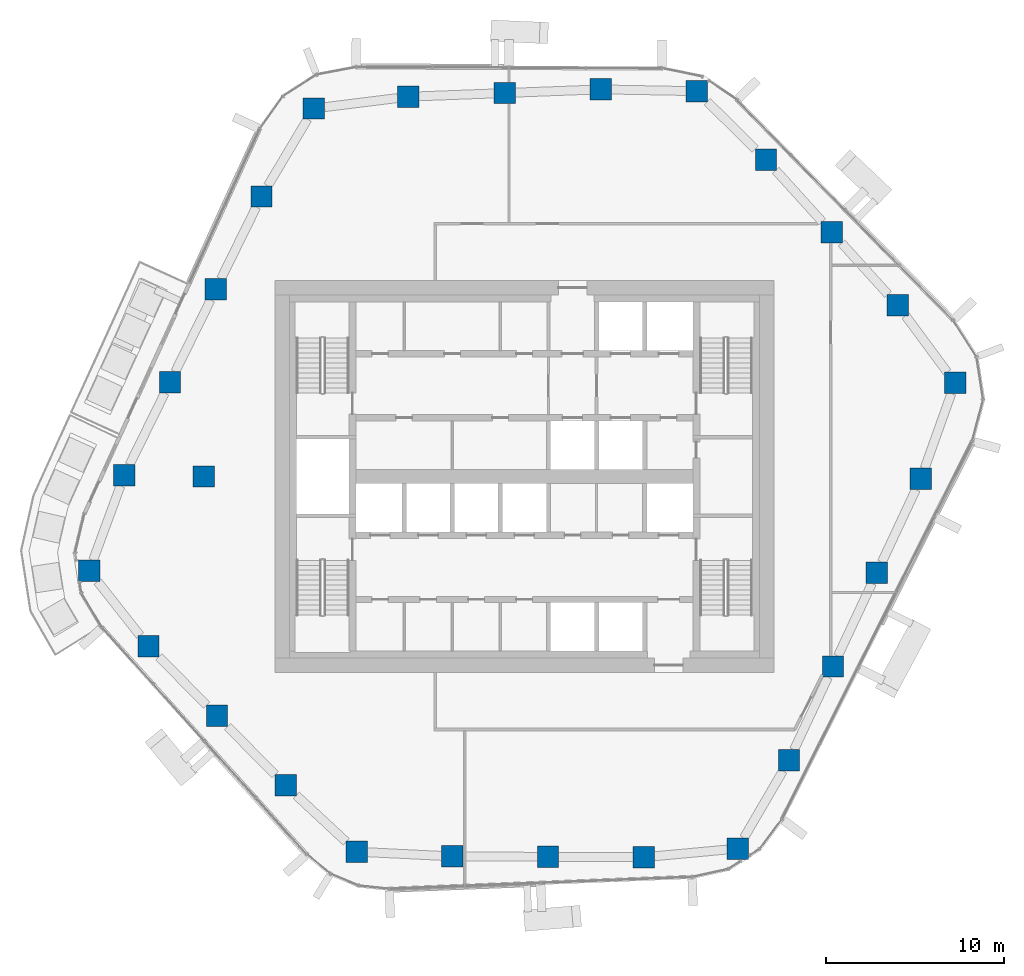
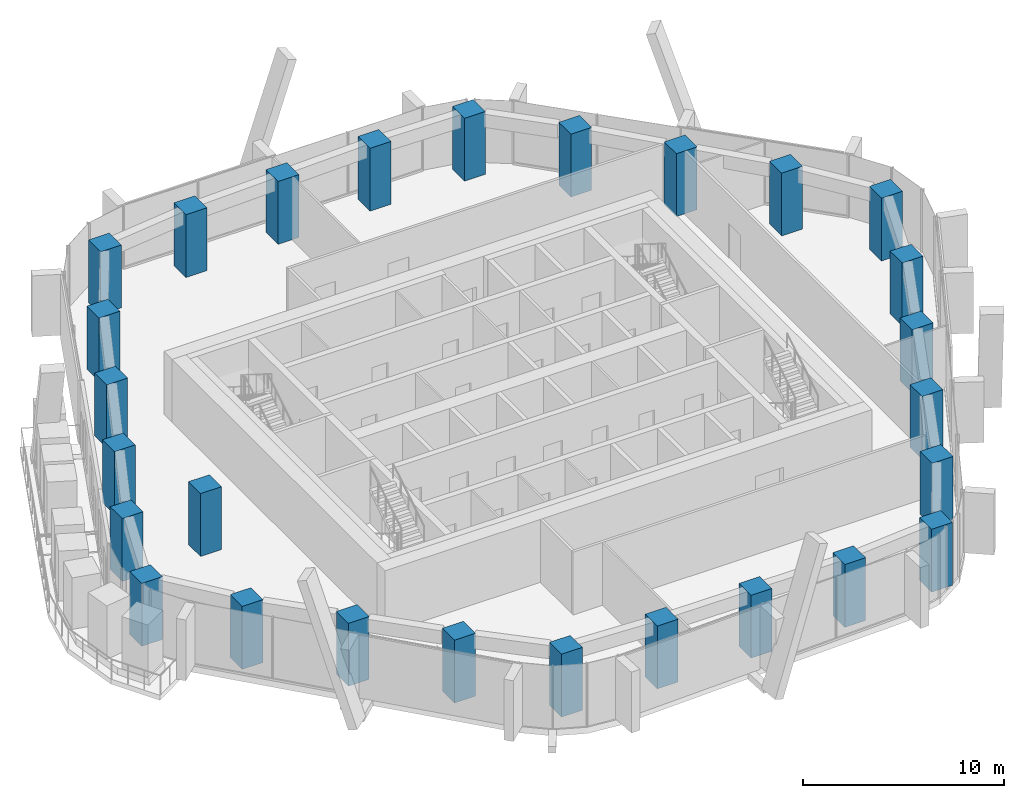
# One storey, part 1 of 19: 27 columns.
"""IFC4 building model written with IfcOpenShell, lengths in metres."""

from ifc_helpers import new_model, si_unit, direction, frame, origin, origin_2d, place, context, subcontext, project, spatial, rectangle, extrude, material, material_profile, profile_set, type_object, element, save


model = new_model("IFC4")

# Units and contexts
model_context = context("Model", 3, precision=1e-05, world=origin(), true_north=direction((0.0, 1.0)))
body_context = subcontext(model_context, "Body", "Model", "MODEL_VIEW")
ifc_project = project(units=[si_unit("LENGTHUNIT", "METRE"), si_unit("AREAUNIT", "SQUARE_METRE"), si_unit("VOLUMEUNIT", "CUBIC_METRE"), si_unit("PLANEANGLEUNIT", "RADIAN"), si_unit("MASSUNIT", "GRAM", prefix="KILO")], contexts=[model_context])

# Site, building, storey
site_placement = place(None, origin())
site = spatial("IfcSite", under=ifc_project, at=site_placement, CompositionType="ELEMENT")
building_placement = place(site_placement, origin())
building = spatial("IfcBuilding", under=site, at=building_placement, Name="Dongbaek Canopy Tower", CompositionType="ELEMENT")
storey_placement = place(building_placement, frame((0.0, 0.0, 207.199951171875)))
storey = spatial("IfcBuildingStorey", under=building, at=storey_placement, Name="L43", CompositionType="ELEMENT", Elevation=207.199951171875)

# Columns
ifc_material = material(Name="Concrete C70", Category="concrete")
ifc_material_profile = material_profile(ifc_material, rectangle(XDim=1.199951171875, YDim=1.199951171875, at=origin_2d()), Name="RC COLUMN 1200x1200 C70")
ifc_profile_set = profile_set([ifc_material_profile], Name="Concrete C70")
column_type = type_object("IfcColumnType", Name="RC COLUMN 1200x1200 C70", PredefinedType="COLUMN", material=ifc_profile_set)
for number, where, z_axis, x_axis, name in (
    (1, (11.971923828125, -20.885009765625, 0.0), (0.0, 0.0, 1.0), (1.0, 0.0, 0.0), "COL:CZ3-01:L43"),
    (2, (6.697998046875, -21.3720703125, 0.0), (0.0, 0.0, 1.0), (1.0, 0.0, 0.0), "COL:CZ3-02:L43"),
    (3, (1.321044921875, -21.347900390625, 0.0), (0.0, 0.0, 1.0), (1.0, 0.0, 0.0), "COL:CZ3-03:L43"),
    (4, (-4.054931640625, -21.323974609375, 0.0), (0.0, 0.0, 1.0), (1.0, 0.0, 0.0), "COL:CZ3-04:L43"),
    (5, (-9.407958984375, -21.06103515625, 0.0), (0.0, 0.0, 1.0), (1.0, 0.0, 0.0), "COL:CZ3-05:L43"),
    (6, (-13.409912109375, -17.339111328125, 0.0), (0.0, 0.0, 1.0), (1.0, 0.0, 0.0), "COL:CZ3-06:L43"),
    (7, (-17.258056640625, -13.431884765625, 0.0), (0.0, 0.0, 1.0), (1.0, 0.0, 0.0), "COL:CZ3-07:L43"),
    (8, (-21.10595703125, -9.52490234375, 0.0), (0.0, 0.0, 1.0), (1.0, 0.0, 0.0), "COL:CZ3-08:L43"),
    (9, (-24.43505859375, -5.2939453125, 0.0), (0.0, 0.0, 1.0), (1.0, 0.0, 0.0), "COL:CZ3-09:L43"),
    (10, (-22.4619140625, 0.06689453125, 0.0), (0.0, 0.0, 1.0), (1.0, 0.0, 0.0), "COL:CZ3-10:L43"),
    (11, (-19.89599609375, 5.287109375, 0.0), (0.0, 0.0, 1.0), (1.0, 0.0, 0.0), "COL:CZ3-11:L43"),
    (12, (-17.327880859375, 10.5048828125, 0.0), (0.0, 0.0, 1.0), (1.0, 0.0, 0.0), "COL:CZ3-12:L43"),
    (13, (-14.761962890625, 15.72412109375, 0.0), (0.0, 0.0, 1.0), (1.0, 0.0, 0.0), "COL:CZ3-13:L43"),
    (14, (-11.822998046875, 20.660888671875, 0.0), (0.0, 0.0, 1.0), (1.0, 0.0, 0.0), "COL:CZ3-14:L43"),
    (15, (-6.52197265625, 21.322998046875, 0.0), (0.0, 0.0, 1.0), (1.0, 0.0, 0.0), "COL:CZ3-15:L43"),
    (16, (-1.113037109375, 21.530029296875, 0.0), (0.0, 0.0, 1.0), (1.0, 0.0, 0.0), "COL:CZ3-16:L43"),
    (17, (4.294921875, 21.736083984375, 0.0), (0.0, 0.0, 1.0), (1.0, 0.0, 0.0), "COL:CZ3-17:L43"),
    (18, (9.666015625, 21.635009765625, 0.0), (0.0, 0.0, 1.0), (1.0, 0.0, 0.0), "COL:CZ3-18:L43"),
    (19, (13.56005859375, 17.7919921875, 0.0), (0.0, 0.0, 1.0), (1.0, 0.0, 0.0), "COL:CZ3-19:L43"),
    (20, (17.260986328125, 13.7060546875, 0.0), (0.0, 0.0, 1.0), (1.0, 0.0, 0.0), "COL:CZ3-20:L43"),
    (21, (20.9599609375, 9.62109375, 0.0), (0.0, 0.0, 1.0), (1.0, 0.0, 0.0), "COL:CZ3-21:L43"),
    (22, (24.179931640625, 5.257080078125, 0.0), (0.0, 0.0, 1.0), (1.0, 0.0, 0.0), "COL:CZ3-22:L43"),
    (23, (22.25390625, -0.134033203125, 0.0), (0.0, 0.0, 1.0), (1.0, 0.0, 0.0), "COL:CZ3-23:L43"),
    (24, (19.7880859375, -5.39892578125, 0.0), (0.0, 0.0, 1.0), (1.0, 0.0, 0.0), "COL:CZ3-24:L43"),
    (25, (17.322021484375, -10.666015625, 0.0), (0.0, 0.0, 1.0), (1.0, 0.0, 0.0), "COL:CZ3-25:L43"),
    (26, (14.85498046875, -15.931884765625, 0.0), (0.0, 0.0, 1.0), (1.0, 0.0, 0.0), "COL:CZ3-26:L43"),
    (27, (-18.0, 0.0, 0.0), (0.0, 0.0, 1.0), (1.0, 0.0, 0.0), "COL:CIZ3-01:L43"),
):
    element("IfcColumn", number, at=place(storey_placement, frame(where, z_axis=z_axis, x_axis=x_axis)), inside=storey, type_object=column_type, Name=name, PredefinedType="COLUMN", context=body_context, shape_type="SweptSolid", body=[
        extrude(rectangle(XDim=1.199951171875, YDim=1.199951171875, at=origin_2d()), origin(), (0.0, 0.0, 1.0), 3.820068359375),
    ])

save(model, "model.ifc")
